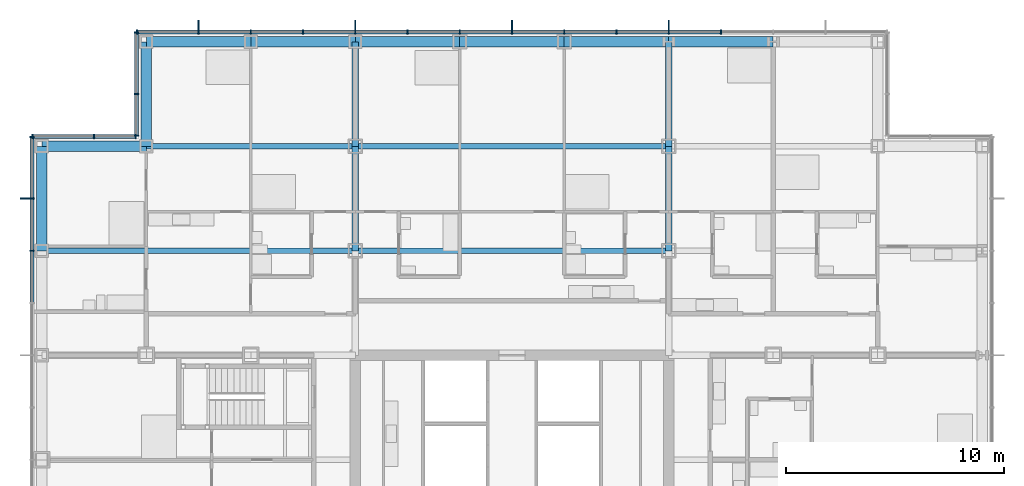
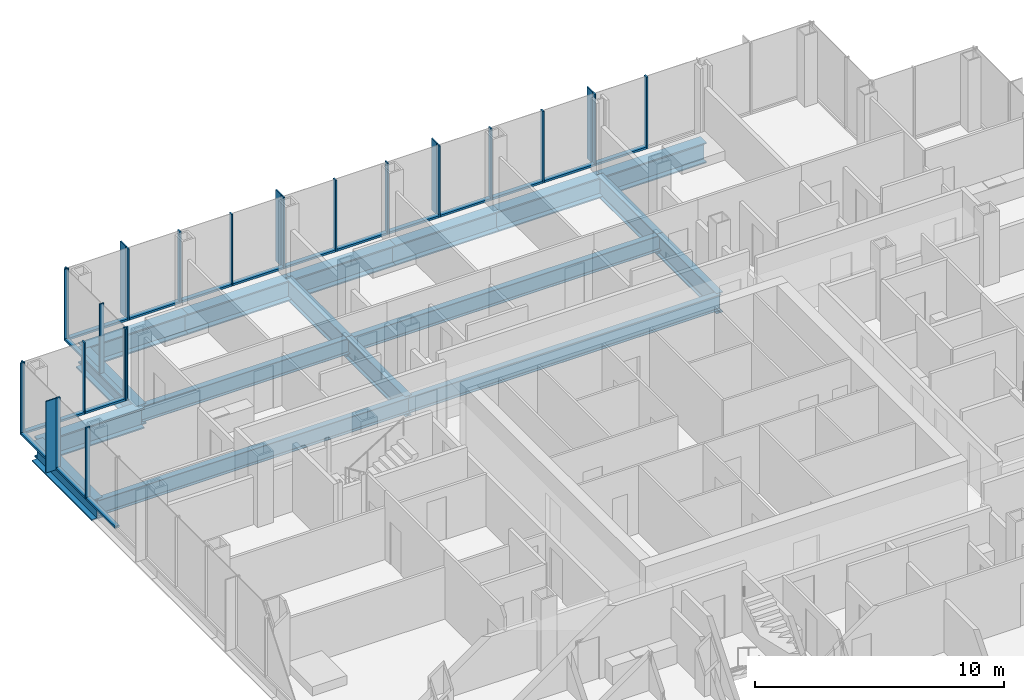
# One storey, part 10 of 21: 44 members, 17 beams, 4 elements without a shape of their own.
"""IFC4 building model written with IfcOpenShell, lengths in metres."""

from ifc_helpers import new_model, si_unit, direction, frame, origin, origin_2d, place, context, subcontext, project, spatial, rectangle, i_section, extrude, material, material_profile, profile_set, type_object, element, aggregate, save


model = new_model("IFC4")

# Units and contexts
model_context = context("Model", 3, precision=1e-05, world=origin(), true_north=direction((0.0, 1.0)))
body_context = subcontext(model_context, "Body", "Model", "MODEL_VIEW")
ifc_project = project(units=[si_unit("LENGTHUNIT", "METRE"), si_unit("AREAUNIT", "SQUARE_METRE"), si_unit("VOLUMEUNIT", "CUBIC_METRE"), si_unit("PLANEANGLEUNIT", "RADIAN"), si_unit("MASSUNIT", "GRAM", prefix="KILO")], contexts=[model_context])

# Site, building, storey
site_placement = place(None, origin())
site = spatial("IfcSite", under=ifc_project, at=site_placement, CompositionType="ELEMENT")
building_placement = place(site_placement, origin())
building = spatial("IfcBuilding", under=site, at=building_placement, Name="Kvirike Care Tower", CompositionType="ELEMENT")
storey_placement = place(building_placement, frame((0.0, 0.0, 37.5)))
storey = spatial("IfcBuildingStorey", under=building, at=storey_placement, Name="L09", CompositionType="ELEMENT", Elevation=37.5)

# Curtain wall, member
ifc_material_1 = material(Name="Anodised aluminium stick system", Category="aluminium")
curtain_wall_type = type_object("IfcCurtainWallType", Name="CW-A STICK CURTAIN WALL", PredefinedType="NOTDEFINED", material=ifc_material_1)
curtain_wall_1_placement = place(storey_placement, origin())
curtain_wall_1 = element("IfcCurtainWall", 1, at=curtain_wall_1_placement, inside=storey, type_object=curtain_wall_type, Name="Curtain wall L09 face 1", PredefinedType="NOTDEFINED")
ifc_material_2 = material(Name="Bronze anodised aluminium fin", Category="aluminium")
ifc_material_profile_1 = material_profile(ifc_material_2, rectangle(XDim=0.050048828125, YDim=0.449951171875, at=origin_2d()), Name="BRONZE FIN 450")
ifc_profile_set_1 = profile_set([ifc_material_profile_1], Name="Bronze anodised aluminium fin")
member_type_1 = type_object("IfcMemberType", Name="BRONZE FIN 450", PredefinedType="USERDEFINED", material=ifc_profile_set_1)
member_1_placement = place(storey_placement, frame((-0.77490234375, 50.39990234375, 0.0), z_axis=(0.0, 0.0, 1.0), x_axis=(0.0, -1.0, 0.0)))
member_1 = element("IfcMember", 2, at=member_1_placement, type_object=member_type_1, Name="Bronze fin L09 face 1.2", ObjectType="FIN", PredefinedType="USERDEFINED", context=body_context, shape_type="SweptSolid", body=[
    extrude(rectangle(XDim=0.050048828125, YDim=0.449951171875, at=origin_2d()), origin(), (0.0, 0.0, 1.0), 3.5),
])

# Curtain wall, members
curtain_wall_2_placement = place(storey_placement, origin())
curtain_wall_2 = element("IfcCurtainWall", 3, at=curtain_wall_2_placement, inside=storey, type_object=curtain_wall_type, Name="Curtain wall L09 face 10", PredefinedType="NOTDEFINED")
member_2_placement = place(storey_placement, frame((28.800048828125, 58.375, 0.0), z_axis=(0.0, 0.0, 1.0), x_axis=(-1.0, 0.0, 0.0)))
member_2 = element("IfcMember", 4, at=member_2_placement, type_object=member_type_1, Name="Bronze fin L09 face 10.5", ObjectType="FIN", PredefinedType="USERDEFINED", context=body_context, shape_type="SweptSolid", body=[
    extrude(rectangle(XDim=0.050048828125, YDim=0.449951171875, at=origin_2d()), origin(), (0.0, 0.0, 1.0), 3.5),
])
member_3_placement = place(storey_placement, frame((21.60009765625, 58.375, 0.0), z_axis=(0.0, 0.0, 1.0), x_axis=(-1.0, 0.0, 0.0)))
member_3 = element("IfcMember", 5, at=member_3_placement, type_object=member_type_1, Name="Bronze fin L09 face 10.8", ObjectType="FIN", PredefinedType="USERDEFINED", context=body_context, shape_type="SweptSolid", body=[
    extrude(rectangle(XDim=0.050048828125, YDim=0.449951171875, at=origin_2d()), origin(), (0.0, 0.0, 1.0), 3.5),
])
member_4_placement = place(storey_placement, frame((14.39990234375, 58.375, 0.0), z_axis=(0.0, 0.0, 1.0), x_axis=(-1.0, 0.0, 0.0)))
member_4 = element("IfcMember", 6, at=member_4_placement, type_object=member_type_1, Name="Bronze fin L09 face 10.11", ObjectType="FIN", PredefinedType="USERDEFINED", context=body_context, shape_type="SweptSolid", body=[
    extrude(rectangle(XDim=0.050048828125, YDim=0.449951171875, at=origin_2d()), origin(), (0.0, 0.0, 1.0), 3.5),
])
member_5_placement = place(storey_placement, frame((7.199951171875, 58.375, 0.0), z_axis=(0.0, 0.0, 1.0), x_axis=(-1.0, 0.0, 0.0)))
member_5 = element("IfcMember", 7, at=member_5_placement, type_object=member_type_1, Name="Bronze fin L09 face 10.14", ObjectType="FIN", PredefinedType="USERDEFINED", context=body_context, shape_type="SweptSolid", body=[
    extrude(rectangle(XDim=0.050048828125, YDim=0.449951171875, at=origin_2d()), origin(), (0.0, 0.0, 1.0), 3.5),
])

# Member
ifc_material_3 = material(Name="Bronze anodised aluminium mullion", Category="aluminium")
ifc_material_profile_2 = material_profile(ifc_material_3, rectangle(XDim=0.06494140625, YDim=0.199951171875, at=origin_2d()), Name="CW-A MULLION 65x200")
ifc_profile_set_2 = profile_set([ifc_material_profile_2], Name="Bronze anodised aluminium mullion")
member_type_2 = type_object("IfcMemberType", Name="CW-A MULLION 65x200", PredefinedType="MULLION", material=ifc_profile_set_2)
member_6_placement = place(storey_placement, frame((-0.449951171875, 53.217529296875, 0.0), z_axis=(0.0, 0.0, 1.0), x_axis=(0.0, -1.0, 0.0)))
member_6 = element("IfcMember", 8, at=member_6_placement, type_object=member_type_2, Name="CW-A mullion L09 face 1.1", PredefinedType="MULLION", context=body_context, shape_type="SweptSolid", body=[
    extrude(rectangle(XDim=0.06494140625, YDim=0.199951171875, at=origin_2d()), origin(), (0.0, 0.0, 1.0), 3.5),
])

member_7_placement = place(storey_placement, frame((-0.449951171875, 50.39990234375, 0.0), z_axis=(0.0, 0.0, 1.0), x_axis=(0.0, -1.0, 0.0)))
member_7 = element("IfcMember", 9, at=member_7_placement, type_object=member_type_2, Name="CW-A mullion L09 face 1.2", PredefinedType="MULLION", context=body_context, shape_type="SweptSolid", body=[
    extrude(rectangle(XDim=0.06494140625, YDim=0.199951171875, at=origin_2d()), origin(), (0.0, 0.0, 1.0), 3.5),
])

member_8_placement = place(storey_placement, frame((-0.449951171875, 48.0, 0.0), z_axis=(0.0, 0.0, 1.0), x_axis=(0.0, -1.0, 0.0)))
member_8 = element("IfcMember", 10, at=member_8_placement, type_object=member_type_2, Name="CW-A mullion L09 face 1.3", PredefinedType="MULLION", context=body_context, shape_type="SweptSolid", body=[
    extrude(rectangle(XDim=0.06494140625, YDim=0.199951171875, at=origin_2d()), origin(), (0.0, 0.0, 1.0), 3.5),
])

member_9_placement = place(storey_placement, frame((31.199951171875, 58.050048828125, 0.0), z_axis=(0.0, 0.0, 1.0), x_axis=(-1.0, 0.0, 0.0)))
member_9 = element("IfcMember", 11, at=member_9_placement, type_object=member_type_2, Name="CW-A mullion L09 face 10.4", PredefinedType="MULLION", context=body_context, shape_type="SweptSolid", body=[
    extrude(rectangle(XDim=0.06494140625, YDim=0.199951171875, at=origin_2d()), origin(), (0.0, 0.0, 1.0), 3.5),
])

member_10_placement = place(storey_placement, frame((28.800048828125, 58.050048828125, 0.0), z_axis=(0.0, 0.0, 1.0), x_axis=(-1.0, 0.0, 0.0)))
member_10 = element("IfcMember", 12, at=member_10_placement, type_object=member_type_2, Name="CW-A mullion L09 face 10.5", PredefinedType="MULLION", context=body_context, shape_type="SweptSolid", body=[
    extrude(rectangle(XDim=0.06494140625, YDim=0.199951171875, at=origin_2d()), origin(), (0.0, 0.0, 1.0), 3.5),
])

member_11_placement = place(storey_placement, frame((26.39990234375, 58.050048828125, 0.0), z_axis=(0.0, 0.0, 1.0), x_axis=(-1.0, 0.0, 0.0)))
member_11 = element("IfcMember", 13, at=member_11_placement, type_object=member_type_2, Name="CW-A mullion L09 face 10.6", PredefinedType="MULLION", context=body_context, shape_type="SweptSolid", body=[
    extrude(rectangle(XDim=0.06494140625, YDim=0.199951171875, at=origin_2d()), origin(), (0.0, 0.0, 1.0), 3.5),
])

member_12_placement = place(storey_placement, frame((24.0, 58.050048828125, 0.0), z_axis=(0.0, 0.0, 1.0), x_axis=(-1.0, 0.0, 0.0)))
member_12 = element("IfcMember", 14, at=member_12_placement, type_object=member_type_2, Name="CW-A mullion L09 face 10.7", PredefinedType="MULLION", context=body_context, shape_type="SweptSolid", body=[
    extrude(rectangle(XDim=0.06494140625, YDim=0.199951171875, at=origin_2d()), origin(), (0.0, 0.0, 1.0), 3.5),
])

member_13_placement = place(storey_placement, frame((21.60009765625, 58.050048828125, 0.0), z_axis=(0.0, 0.0, 1.0), x_axis=(-1.0, 0.0, 0.0)))
member_13 = element("IfcMember", 15, at=member_13_placement, type_object=member_type_2, Name="CW-A mullion L09 face 10.8", PredefinedType="MULLION", context=body_context, shape_type="SweptSolid", body=[
    extrude(rectangle(XDim=0.06494140625, YDim=0.199951171875, at=origin_2d()), origin(), (0.0, 0.0, 1.0), 3.5),
])

member_14_placement = place(storey_placement, frame((19.199951171875, 58.050048828125, 0.0), z_axis=(0.0, 0.0, 1.0), x_axis=(-1.0, 0.0, 0.0)))
member_14 = element("IfcMember", 16, at=member_14_placement, type_object=member_type_2, Name="CW-A mullion L09 face 10.9", PredefinedType="MULLION", context=body_context, shape_type="SweptSolid", body=[
    extrude(rectangle(XDim=0.06494140625, YDim=0.199951171875, at=origin_2d()), origin(), (0.0, 0.0, 1.0), 3.5),
])

member_15_placement = place(storey_placement, frame((16.800048828125, 58.050048828125, 0.0), z_axis=(0.0, 0.0, 1.0), x_axis=(-1.0, 0.0, 0.0)))
member_15 = element("IfcMember", 17, at=member_15_placement, type_object=member_type_2, Name="CW-A mullion L09 face 10.10", PredefinedType="MULLION", context=body_context, shape_type="SweptSolid", body=[
    extrude(rectangle(XDim=0.06494140625, YDim=0.199951171875, at=origin_2d()), origin(), (0.0, 0.0, 1.0), 3.5),
])

member_16_placement = place(storey_placement, frame((14.39990234375, 58.050048828125, 0.0), z_axis=(0.0, 0.0, 1.0), x_axis=(-1.0, 0.0, 0.0)))
member_16 = element("IfcMember", 18, at=member_16_placement, type_object=member_type_2, Name="CW-A mullion L09 face 10.11", PredefinedType="MULLION", context=body_context, shape_type="SweptSolid", body=[
    extrude(rectangle(XDim=0.06494140625, YDim=0.199951171875, at=origin_2d()), origin(), (0.0, 0.0, 1.0), 3.5),
])

member_17_placement = place(storey_placement, frame((12.0, 58.050048828125, 0.0), z_axis=(0.0, 0.0, 1.0), x_axis=(-1.0, 0.0, 0.0)))
member_17 = element("IfcMember", 19, at=member_17_placement, type_object=member_type_2, Name="CW-A mullion L09 face 10.12", PredefinedType="MULLION", context=body_context, shape_type="SweptSolid", body=[
    extrude(rectangle(XDim=0.06494140625, YDim=0.199951171875, at=origin_2d()), origin(), (0.0, 0.0, 1.0), 3.5),
])

member_18_placement = place(storey_placement, frame((9.60009765625, 58.050048828125, 0.0), z_axis=(0.0, 0.0, 1.0), x_axis=(-1.0, 0.0, 0.0)))
member_18 = element("IfcMember", 20, at=member_18_placement, type_object=member_type_2, Name="CW-A mullion L09 face 10.13", PredefinedType="MULLION", context=body_context, shape_type="SweptSolid", body=[
    extrude(rectangle(XDim=0.06494140625, YDim=0.199951171875, at=origin_2d()), origin(), (0.0, 0.0, 1.0), 3.5),
])

member_19_placement = place(storey_placement, frame((7.199951171875, 58.050048828125, 0.0), z_axis=(0.0, 0.0, 1.0), x_axis=(-1.0, 0.0, 0.0)))
member_19 = element("IfcMember", 21, at=member_19_placement, type_object=member_type_2, Name="CW-A mullion L09 face 10.14", PredefinedType="MULLION", context=body_context, shape_type="SweptSolid", body=[
    extrude(rectangle(XDim=0.06494140625, YDim=0.199951171875, at=origin_2d()), origin(), (0.0, 0.0, 1.0), 3.5),
])

member_20_placement = place(storey_placement, frame((4.382568359375, 58.050048828125, 0.0), z_axis=(0.0, 0.0, 1.0), x_axis=(-1.0, 0.0, 0.0)))
member_20 = element("IfcMember", 22, at=member_20_placement, type_object=member_type_2, Name="CW-A mullion L09 face 10.15", PredefinedType="MULLION", context=body_context, shape_type="SweptSolid", body=[
    extrude(rectangle(XDim=0.06494140625, YDim=0.199951171875, at=origin_2d()), origin(), (0.0, 0.0, 1.0), 3.5),
])

# Curtain wall, members
curtain_wall_3_placement = place(storey_placement, origin())
curtain_wall_3 = element("IfcCurtainWall", 23, at=curtain_wall_3_placement, inside=storey, type_object=curtain_wall_type, Name="Curtain wall L09 face 11", PredefinedType="NOTDEFINED")
member_21_placement = place(storey_placement, frame((4.35009765625, 58.017578125, 0.0), z_axis=(0.0, 0.0, 1.0), x_axis=(0.0, -1.0, 0.0)))
member_21 = element("IfcMember", 24, at=member_21_placement, type_object=member_type_2, Name="CW-A mullion L09 face 11.1", PredefinedType="MULLION", context=body_context, shape_type="SweptSolid", body=[
    extrude(rectangle(XDim=0.06494140625, YDim=0.199951171875, at=origin_2d()), origin(), (0.0, 0.0, 1.0), 3.5),
])
member_22_placement = place(storey_placement, frame((4.35009765625, 55.199951171875, 0.0), z_axis=(0.0, 0.0, 1.0), x_axis=(0.0, -1.0, 0.0)))
member_22 = element("IfcMember", 25, at=member_22_placement, type_object=member_type_2, Name="CW-A mullion L09 face 11.2", PredefinedType="MULLION", context=body_context, shape_type="SweptSolid", body=[
    extrude(rectangle(XDim=0.06494140625, YDim=0.199951171875, at=origin_2d()), origin(), (0.0, 0.0, 1.0), 3.5),
])
member_23_placement = place(storey_placement, frame((4.35009765625, 53.282470703125, 0.0), z_axis=(0.0, 0.0, 1.0), x_axis=(0.0, -1.0, 0.0)))
member_23 = element("IfcMember", 26, at=member_23_placement, type_object=member_type_2, Name="CW-A mullion L09 face 11.3", PredefinedType="MULLION", context=body_context, shape_type="SweptSolid", body=[
    extrude(rectangle(XDim=0.06494140625, YDim=0.199951171875, at=origin_2d()), origin(), (0.0, 0.0, 1.0), 3.5),
])

curtain_wall_4_placement = place(storey_placement, origin())
curtain_wall_4 = element("IfcCurtainWall", 27, at=curtain_wall_4_placement, inside=storey, type_object=curtain_wall_type, Name="Curtain wall L09 face 12", PredefinedType="NOTDEFINED")
member_24_placement = place(storey_placement, frame((4.3173828125, 53.25, 0.0), z_axis=(0.0, 0.0, 1.0), x_axis=(-1.0, 0.0, 0.0)))
member_24 = element("IfcMember", 28, at=member_24_placement, type_object=member_type_2, Name="CW-A mullion L09 face 12.1", PredefinedType="MULLION", context=body_context, shape_type="SweptSolid", body=[
    extrude(rectangle(XDim=0.06494140625, YDim=0.199951171875, at=origin_2d()), origin(), (0.0, 0.0, 1.0), 3.5),
])
member_25_placement = place(storey_placement, frame((2.39990234375, 53.25, 0.0), z_axis=(0.0, 0.0, 1.0), x_axis=(-1.0, 0.0, 0.0)))
member_25 = element("IfcMember", 29, at=member_25_placement, type_object=member_type_2, Name="CW-A mullion L09 face 12.2", PredefinedType="MULLION", context=body_context, shape_type="SweptSolid", body=[
    extrude(rectangle(XDim=0.06494140625, YDim=0.199951171875, at=origin_2d()), origin(), (0.0, 0.0, 1.0), 3.5),
])
member_26_placement = place(storey_placement, frame((-0.41748046875, 53.25, 0.0), z_axis=(0.0, 0.0, 1.0), x_axis=(-1.0, 0.0, 0.0)))
member_26 = element("IfcMember", 30, at=member_26_placement, type_object=member_type_2, Name="CW-A mullion L09 face 12.3", PredefinedType="MULLION", context=body_context, shape_type="SweptSolid", body=[
    extrude(rectangle(XDim=0.06494140625, YDim=0.199951171875, at=origin_2d()), origin(), (0.0, 0.0, 1.0), 3.5),
])

# Member
ifc_material_4 = material(Name="Bronze anodised aluminium transom", Category="aluminium")
ifc_material_profile_3 = material_profile(ifc_material_4, rectangle(XDim=0.199951171875, YDim=0.10009765625, at=origin_2d()), Name="CW-A TRANSOM 200x100")
ifc_profile_set_3 = profile_set([ifc_material_profile_3], Name="Bronze anodised aluminium transom")
member_type_3 = type_object("IfcMemberType", Name="CW-A TRANSOM 200x100", PredefinedType="USERDEFINED", material=ifc_profile_set_3)
member_27_placement = place(storey_placement, frame((-0.449951171875, 53.18505859375, 0.050048828125), z_axis=(0.0, -1.0, 0.0), x_axis=(1.0, 0.0, 0.0)))
member_27 = element("IfcMember", 31, at=member_27_placement, type_object=member_type_3, Name="CW-A sill transom L09 face 1.1", ObjectType="TRANSOM", PredefinedType="USERDEFINED", context=body_context, shape_type="SweptSolid", body=[
    extrude(rectangle(XDim=0.199951171875, YDim=0.10009765625, at=origin_2d()), origin(), (0.0, 0.0, 1.0), 2.75244140625),
])

member_28_placement = place(storey_placement, frame((-0.449951171875, 50.367431640625, 0.050048828125), z_axis=(0.0, -1.0, 0.0), x_axis=(1.0, 0.0, 0.0)))
member_28 = element("IfcMember", 32, at=member_28_placement, type_object=member_type_3, Name="CW-A sill transom L09 face 1.2", ObjectType="TRANSOM", PredefinedType="USERDEFINED", context=body_context, shape_type="SweptSolid", body=[
    extrude(rectangle(XDim=0.199951171875, YDim=0.10009765625, at=origin_2d()), origin(), (0.0, 0.0, 1.0), 2.3349609375),
])

member_29_placement = place(storey_placement, frame((-0.449951171875, 47.967529296875, 0.050048828125), z_axis=(0.0, -1.0, 0.0), x_axis=(1.0, 0.0, 0.0)))
member_29 = element("IfcMember", 33, at=member_29_placement, type_object=member_type_3, Name="CW-A sill transom L09 face 1.3", ObjectType="TRANSOM", PredefinedType="USERDEFINED", context=body_context, shape_type="SweptSolid", body=[
    extrude(rectangle(XDim=0.199951171875, YDim=0.10009765625, at=origin_2d()), origin(), (0.0, 0.0, 1.0), 2.3349609375),
])

aggregate(curtain_wall_1, [member_6, member_7, member_1, member_8, member_27, member_28, member_29])

member_30_placement = place(storey_placement, frame((31.16748046875, 58.050048828125, 0.050048828125), z_axis=(-1.0, 0.0, 0.0), x_axis=(0.0, -1.0, 0.0)))
member_30 = element("IfcMember", 34, at=member_30_placement, type_object=member_type_3, Name="CW-A sill transom L09 face 10.4", ObjectType="TRANSOM", PredefinedType="USERDEFINED", context=body_context, shape_type="SweptSolid", body=[
    extrude(rectangle(XDim=0.199951171875, YDim=0.10009765625, at=origin_2d()), origin(), (0.0, 0.0, 1.0), 2.3349609375),
])

member_31_placement = place(storey_placement, frame((28.767578125, 58.050048828125, 0.050048828125), z_axis=(-1.0, 0.0, 0.0), x_axis=(0.0, -1.0, 0.0)))
member_31 = element("IfcMember", 35, at=member_31_placement, type_object=member_type_3, Name="CW-A sill transom L09 face 10.5", ObjectType="TRANSOM", PredefinedType="USERDEFINED", context=body_context, shape_type="SweptSolid", body=[
    extrude(rectangle(XDim=0.199951171875, YDim=0.10009765625, at=origin_2d()), origin(), (0.0, 0.0, 1.0), 2.3349609375),
])

member_32_placement = place(storey_placement, frame((26.367431640625, 58.050048828125, 0.050048828125), z_axis=(-1.0, 0.0, 0.0), x_axis=(0.0, -1.0, 0.0)))
member_32 = element("IfcMember", 36, at=member_32_placement, type_object=member_type_3, Name="CW-A sill transom L09 face 10.6", ObjectType="TRANSOM", PredefinedType="USERDEFINED", context=body_context, shape_type="SweptSolid", body=[
    extrude(rectangle(XDim=0.199951171875, YDim=0.10009765625, at=origin_2d()), origin(), (0.0, 0.0, 1.0), 2.3349609375),
])

member_33_placement = place(storey_placement, frame((23.967529296875, 58.050048828125, 0.050048828125), z_axis=(-1.0, 0.0, 0.0), x_axis=(0.0, -1.0, 0.0)))
member_33 = element("IfcMember", 37, at=member_33_placement, type_object=member_type_3, Name="CW-A sill transom L09 face 10.7", ObjectType="TRANSOM", PredefinedType="USERDEFINED", context=body_context, shape_type="SweptSolid", body=[
    extrude(rectangle(XDim=0.199951171875, YDim=0.10009765625, at=origin_2d()), origin(), (0.0, 0.0, 1.0), 2.3349609375),
])

member_34_placement = place(storey_placement, frame((21.5673828125, 58.050048828125, 0.050048828125), z_axis=(-1.0, 0.0, 0.0), x_axis=(0.0, -1.0, 0.0)))
member_34 = element("IfcMember", 38, at=member_34_placement, type_object=member_type_3, Name="CW-A sill transom L09 face 10.8", ObjectType="TRANSOM", PredefinedType="USERDEFINED", context=body_context, shape_type="SweptSolid", body=[
    extrude(rectangle(XDim=0.199951171875, YDim=0.10009765625, at=origin_2d()), origin(), (0.0, 0.0, 1.0), 2.3349609375),
])

member_35_placement = place(storey_placement, frame((19.16748046875, 58.050048828125, 0.050048828125), z_axis=(-1.0, 0.0, 0.0), x_axis=(0.0, -1.0, 0.0)))
member_35 = element("IfcMember", 39, at=member_35_placement, type_object=member_type_3, Name="CW-A sill transom L09 face 10.9", ObjectType="TRANSOM", PredefinedType="USERDEFINED", context=body_context, shape_type="SweptSolid", body=[
    extrude(rectangle(XDim=0.199951171875, YDim=0.10009765625, at=origin_2d()), origin(), (0.0, 0.0, 1.0), 2.3349609375),
])

member_36_placement = place(storey_placement, frame((16.767578125, 58.050048828125, 0.050048828125), z_axis=(-1.0, 0.0, 0.0), x_axis=(0.0, -1.0, 0.0)))
member_36 = element("IfcMember", 40, at=member_36_placement, type_object=member_type_3, Name="CW-A sill transom L09 face 10.10", ObjectType="TRANSOM", PredefinedType="USERDEFINED", context=body_context, shape_type="SweptSolid", body=[
    extrude(rectangle(XDim=0.199951171875, YDim=0.10009765625, at=origin_2d()), origin(), (0.0, 0.0, 1.0), 2.3349609375),
])

member_37_placement = place(storey_placement, frame((14.367431640625, 58.050048828125, 0.050048828125), z_axis=(-1.0, 0.0, 0.0), x_axis=(0.0, -1.0, 0.0)))
member_37 = element("IfcMember", 41, at=member_37_placement, type_object=member_type_3, Name="CW-A sill transom L09 face 10.11", ObjectType="TRANSOM", PredefinedType="USERDEFINED", context=body_context, shape_type="SweptSolid", body=[
    extrude(rectangle(XDim=0.199951171875, YDim=0.10009765625, at=origin_2d()), origin(), (0.0, 0.0, 1.0), 2.3349609375),
])

member_38_placement = place(storey_placement, frame((11.967529296875, 58.050048828125, 0.050048828125), z_axis=(-1.0, 0.0, 0.0), x_axis=(0.0, -1.0, 0.0)))
member_38 = element("IfcMember", 42, at=member_38_placement, type_object=member_type_3, Name="CW-A sill transom L09 face 10.12", ObjectType="TRANSOM", PredefinedType="USERDEFINED", context=body_context, shape_type="SweptSolid", body=[
    extrude(rectangle(XDim=0.199951171875, YDim=0.10009765625, at=origin_2d()), origin(), (0.0, 0.0, 1.0), 2.3349609375),
])

member_39_placement = place(storey_placement, frame((9.5673828125, 58.050048828125, 0.050048828125), z_axis=(-1.0, 0.0, 0.0), x_axis=(0.0, -1.0, 0.0)))
member_39 = element("IfcMember", 43, at=member_39_placement, type_object=member_type_3, Name="CW-A sill transom L09 face 10.13", ObjectType="TRANSOM", PredefinedType="USERDEFINED", context=body_context, shape_type="SweptSolid", body=[
    extrude(rectangle(XDim=0.199951171875, YDim=0.10009765625, at=origin_2d()), origin(), (0.0, 0.0, 1.0), 2.3349609375),
])

member_40_placement = place(storey_placement, frame((7.16748046875, 58.050048828125, 0.050048828125), z_axis=(-1.0, 0.0, 0.0), x_axis=(0.0, -1.0, 0.0)))
member_40 = element("IfcMember", 44, at=member_40_placement, type_object=member_type_3, Name="CW-A sill transom L09 face 10.14", ObjectType="TRANSOM", PredefinedType="USERDEFINED", context=body_context, shape_type="SweptSolid", body=[
    extrude(rectangle(XDim=0.199951171875, YDim=0.10009765625, at=origin_2d()), origin(), (0.0, 0.0, 1.0), 2.75244140625),
])

aggregate(curtain_wall_2, [member_9, member_10, member_2, member_11, member_12, member_13, member_3, member_14, member_15, member_16, member_4, member_17, member_18, member_19, member_5, member_20, member_30, member_31, member_32, member_33, member_34, member_35, member_36, member_37, member_38, member_39, member_40])

member_41_placement = place(storey_placement, frame((4.35009765625, 57.985107421875, 0.050048828125), z_axis=(0.0, -1.0, 0.0), x_axis=(1.0, 0.0, 0.0)))
member_41 = element("IfcMember", 45, at=member_41_placement, type_object=member_type_3, Name="CW-A sill transom L09 face 11.1", ObjectType="TRANSOM", PredefinedType="USERDEFINED", context=body_context, shape_type="SweptSolid", body=[
    extrude(rectangle(XDim=0.199951171875, YDim=0.10009765625, at=origin_2d()), origin(), (0.0, 0.0, 1.0), 2.752685546875),
])

member_42_placement = place(storey_placement, frame((4.35009765625, 55.16748046875, 0.050048828125), z_axis=(0.0, -1.0, 0.0), x_axis=(1.0, 0.0, 0.0)))
member_42 = element("IfcMember", 46, at=member_42_placement, type_object=member_type_3, Name="CW-A sill transom L09 face 11.2", ObjectType="TRANSOM", PredefinedType="USERDEFINED", context=body_context, shape_type="SweptSolid", body=[
    extrude(rectangle(XDim=0.199951171875, YDim=0.10009765625, at=origin_2d()), origin(), (0.0, 0.0, 1.0), 1.8525390625),
])

aggregate(curtain_wall_3, [member_21, member_22, member_23, member_41, member_42])

member_43_placement = place(storey_placement, frame((4.284912109375, 53.25, 0.050048828125), z_axis=(-1.0, 0.0, 0.0), x_axis=(0.0, -1.0, 0.0)))
member_43 = element("IfcMember", 47, at=member_43_placement, type_object=member_type_3, Name="CW-A sill transom L09 face 12.1", ObjectType="TRANSOM", PredefinedType="USERDEFINED", context=body_context, shape_type="SweptSolid", body=[
    extrude(rectangle(XDim=0.199951171875, YDim=0.10009765625, at=origin_2d()), origin(), (0.0, 0.0, 1.0), 1.852294921875),
])

member_44_placement = place(storey_placement, frame((2.367431640625, 53.25, 0.050048828125), z_axis=(-1.0, 0.0, 0.0), x_axis=(0.0, -1.0, 0.0)))
member_44 = element("IfcMember", 48, at=member_44_placement, type_object=member_type_3, Name="CW-A sill transom L09 face 12.2", ObjectType="TRANSOM", PredefinedType="USERDEFINED", context=body_context, shape_type="SweptSolid", body=[
    extrude(rectangle(XDim=0.199951171875, YDim=0.10009765625, at=origin_2d()), origin(), (0.0, 0.0, 1.0), 2.75244140625),
])

aggregate(curtain_wall_4, [member_24, member_25, member_26, member_43, member_44])

# Beams
ifc_material_5 = material(Name="Steel S355", Category="steel")
ifc_material_profile_4 = material_profile(ifc_material_5, i_section(OverallWidth=0.26806640625, OverallDepth=0.77001953125, WebThickness=0.015625, FlangeThickness=0.025390625, FilletRadius=0.01708984375, at=origin_2d()), Name="IPE 750x196")
ifc_profile_set_4 = profile_set([ifc_material_profile_4], Name="Steel S355")
beam_type_1 = type_object("IfcBeamType", Name="FLOOR BEAM IPE 750x196", PredefinedType="BEAM", material=ifc_profile_set_4)
beam_1_placement = place(storey_placement, frame((0.0, 48.0, -0.554931640625), z_axis=(1.0, 0.0, 0.0), x_axis=(0.0, 1.0, 0.0)))
element("IfcBeam", 49, at=beam_1_placement, inside=storey, type_object=beam_type_1, Name="Floor Beam L3-L6 L09", PredefinedType="BEAM", context=body_context, shape_type="SweptSolid", body=[
    extrude(i_section(OverallWidth=0.26806640625, OverallDepth=0.77001953125, WebThickness=0.015625, FlangeThickness=0.025390625, FilletRadius=0.01708984375, at=origin_2d()), origin(), (0.0, 0.0, 1.0), 14.39990234375),
])
beam_2_placement = place(storey_placement, frame((14.39990234375, 48.0, -0.554931640625), z_axis=(1.0, 0.0, 0.0), x_axis=(0.0, 1.0, 0.0)))
element("IfcBeam", 50, at=beam_2_placement, inside=storey, type_object=beam_type_1, Name="Floor Beam L6-L9 L09", PredefinedType="BEAM", context=body_context, shape_type="SweptSolid", body=[
    extrude(i_section(OverallWidth=0.26806640625, OverallDepth=0.77001953125, WebThickness=0.015625, FlangeThickness=0.025390625, FilletRadius=0.01708984375, at=origin_2d()), origin(), (0.0, 0.0, 1.0), 14.400146484375),
])
beam_3_placement = place(storey_placement, frame((4.800048828125, 52.800048828125, -0.554931640625), z_axis=(1.0, 0.0, 0.0), x_axis=(0.0, 1.0, 0.0)))
element("IfcBeam", 51, at=beam_3_placement, inside=storey, type_object=beam_type_1, Name="Floor Beam M4-M6 L09", PredefinedType="BEAM", context=body_context, shape_type="SweptSolid", body=[
    extrude(i_section(OverallWidth=0.26806640625, OverallDepth=0.77001953125, WebThickness=0.015625, FlangeThickness=0.025390625, FilletRadius=0.01708984375, at=origin_2d()), origin(), (0.0, 0.0, 1.0), 9.599853515625),
])
beam_4_placement = place(storey_placement, frame((14.39990234375, 52.800048828125, -0.554931640625), z_axis=(1.0, 0.0, 0.0), x_axis=(0.0, 1.0, 0.0)))
element("IfcBeam", 52, at=beam_4_placement, inside=storey, type_object=beam_type_1, Name="Floor Beam M6-M9 L09", PredefinedType="BEAM", context=body_context, shape_type="SweptSolid", body=[
    extrude(i_section(OverallWidth=0.26806640625, OverallDepth=0.77001953125, WebThickness=0.015625, FlangeThickness=0.025390625, FilletRadius=0.01708984375, at=origin_2d()), origin(), (0.0, 0.0, 1.0), 14.400146484375),
])
ifc_material_6 = material(Name="Steel S355", Category="steel")
ifc_material_profile_5 = material_profile(ifc_material_6, i_section(OverallWidth=0.300048828125, OverallDepth=1.0, WebThickness=0.01904296875, FlangeThickness=0.035888671875, FilletRadius=0.030029296875, at=origin_2d()), Name="HE 1000 B")
ifc_profile_set_5 = profile_set([ifc_material_profile_5], Name="Steel S355")
beam_type_2 = type_object("IfcBeamType", Name="FRAME BEAM HE 1000 B", PredefinedType="BEAM", material=ifc_profile_set_5)
for number, where, z_axis, x_axis, name in (
    (53, (14.39990234375, 48.0, -0.669921875), (0.0, 1.0, 0.0), (-1.0, 0.0, 0.0), "Frame Beam L6-M6 L09"),
    (54, (14.39990234375, 52.800048828125, -0.669921875), (0.0, 1.0, 0.0), (-1.0, 0.0, 0.0), "Frame Beam M6-N6 L09"),
    (55, (28.800048828125, 48.0, -0.669921875), (0.0, 1.0, 0.0), (-1.0, 0.0, 0.0), "Frame Beam L9-M9 L09"),
    (56, (28.800048828125, 52.800048828125, -0.669921875), (0.0, 1.0, 0.0), (-1.0, 0.0, 0.0), "Frame Beam M9-N9 L09"),
):
    element("IfcBeam", number, at=place(storey_placement, frame(where, z_axis=z_axis, x_axis=x_axis)), inside=storey, type_object=beam_type_2, Name=name, PredefinedType="BEAM", context=body_context, shape_type="SweptSolid", body=[
        extrude(i_section(OverallWidth=0.300048828125, OverallDepth=1.0, WebThickness=0.01904296875, FlangeThickness=0.035888671875, FilletRadius=0.030029296875, at=origin_2d()), origin(), (0.0, 0.0, 1.0), 4.800048828125),
    ])
ifc_material_7 = material(Name="Steel S355", Category="steel")
ifc_material_profile_6 = material_profile(ifc_material_7, i_section(OverallWidth=0.5, OverallDepth=1.0, WebThickness=0.030029296875, FlangeThickness=0.06005859375, at=origin_2d()), Name="PG 1000x500x30x60")
ifc_profile_set_6 = profile_set([ifc_material_profile_6], Name="Steel S355")
beam_type_3 = type_object("IfcBeamType", Name="SPANDREL PG 1000x500x30x60", PredefinedType="SPANDREL", material=ifc_profile_set_6)
for number, where, z_axis, x_axis, name in (
    (57, (0.0, 52.800048828125, -0.669921875), (1.0, 0.0, 0.0), (0.0, 1.0, 0.0), "Spandrel M3-M4 L09"),
    (58, (4.800048828125, 57.60009765625, -0.669921875), (1.0, 0.0, 0.0), (0.0, 1.0, 0.0), "Spandrel N4-N5 L09"),
):
    element("IfcBeam", number, at=place(storey_placement, frame(where, z_axis=z_axis, x_axis=x_axis)), inside=storey, type_object=beam_type_3, Name=name, PredefinedType="SPANDREL", context=body_context, shape_type="SweptSolid", body=[
        extrude(i_section(OverallWidth=0.5, OverallDepth=1.0, WebThickness=0.030029296875, FlangeThickness=0.06005859375, at=origin_2d()), origin(), (0.0, 0.0, 1.0), 4.800048828125),
    ])
beam_5_placement = place(storey_placement, frame((9.60009765625, 57.60009765625, -0.669921875), z_axis=(1.0, 0.0, 0.0), x_axis=(0.0, 1.0, 0.0)))
element("IfcBeam", 59, at=beam_5_placement, inside=storey, type_object=beam_type_3, Name="Spandrel N5-N6 L09", PredefinedType="SPANDREL", context=body_context, shape_type="SweptSolid", body=[
    extrude(i_section(OverallWidth=0.5, OverallDepth=1.0, WebThickness=0.030029296875, FlangeThickness=0.06005859375, at=origin_2d()), origin(), (0.0, 0.0, 1.0), 4.7998046875),
])
for number, where, z_axis, x_axis, name in (
    (60, (14.39990234375, 57.60009765625, -0.669921875), (1.0, 0.0, 0.0), (0.0, 1.0, 0.0), "Spandrel N6-N7 L09"),
    (61, (19.199951171875, 57.60009765625, -0.669921875), (1.0, 0.0, 0.0), (0.0, 1.0, 0.0), "Spandrel N7-N8 L09"),
    (62, (24.0, 57.60009765625, -0.669921875), (1.0, 0.0, 0.0), (0.0, 1.0, 0.0), "Spandrel N8-N9 L09"),
    (63, (28.800048828125, 57.60009765625, -0.669921875), (1.0, 0.0, 0.0), (0.0, 1.0, 0.0), "Spandrel N9-N10 L09"),
    (64, (0.0, 48.0, -0.669921875), (0.0, 1.0, 0.0), (-1.0, 0.0, 0.0), "Spandrel L3-M3 L09"),
    (65, (4.800048828125, 52.800048828125, -0.669921875), (0.0, 1.0, 0.0), (-1.0, 0.0, 0.0), "Spandrel M4-N4 L09"),
):
    element("IfcBeam", number, at=place(storey_placement, frame(where, z_axis=z_axis, x_axis=x_axis)), inside=storey, type_object=beam_type_3, Name=name, PredefinedType="SPANDREL", context=body_context, shape_type="SweptSolid", body=[
        extrude(i_section(OverallWidth=0.5, OverallDepth=1.0, WebThickness=0.030029296875, FlangeThickness=0.06005859375, at=origin_2d()), origin(), (0.0, 0.0, 1.0), 4.800048828125),
    ])

save(model, "model.ifc")
